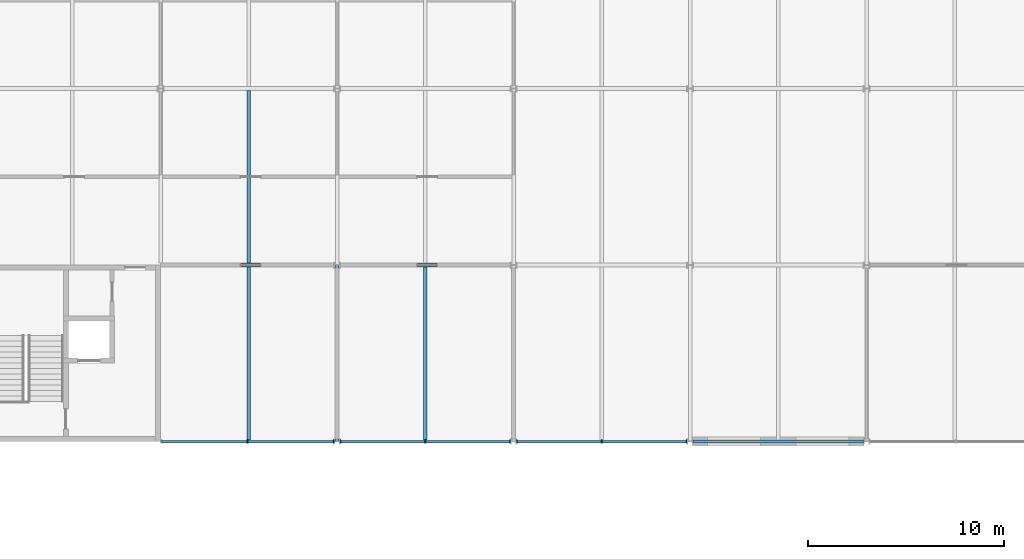
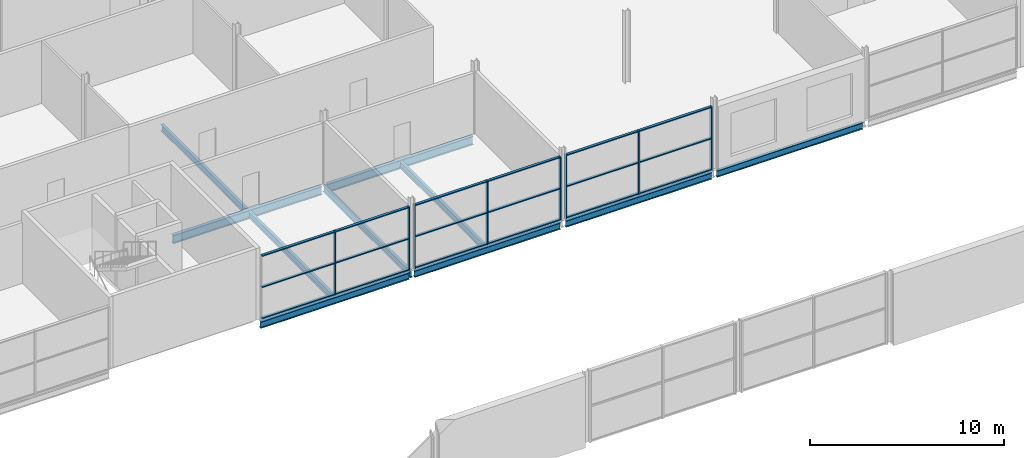
# One storey, part 35 of 97: 26 members, 10 beams, 3 elements without a shape of their own.
"""IFC4 building model written with IfcOpenShell, lengths in metres."""

import ifcopenshell
import ifcopenshell.guid

model = None  # the IFC model being written
_history = None  # IfcOwnerHistory: only IFC2X3 demands one
_inside = {}  # id of a spatial element -> (the spatial element, [elements in it])
_under = {}  # id of a project, library or spatial element -> (it, [spatial elements below it])
_declared = {}  # id of a project -> (the project, [libraries it declares])
_typed = {}  # id of a type object -> (the type object, [elements of that type])
_made_of = {}  # id of a material, layer set ... -> (it, [elements and type objects made of it])


def new_model(schema):
    """Start an empty IFC model of exactly this schema.

    Asked for "IFC4X3", IfcOpenShell would pick the latest addendum, in which some entities
    have other attributes; the version numbers below select the first issue.
    IFC2X3 requires an IfcOwnerHistory on every rooted entity: one is made here for all.
    """
    global model, _history
    if schema == "IFC4X3":
        model = ifcopenshell.file(schema_version=(4, 3, 0, 0))
    else:
        model = ifcopenshell.file(schema=schema)
    _inside.clear()
    _under.clear()
    _declared.clear()
    _typed.clear()
    _made_of.clear()
    _history = None
    if model.schema == "IFC2X3":
        org = make("IfcOrganization", Name="unknown")
        user = make(
            "IfcPersonAndOrganization",
            ThePerson=make("IfcPerson", FamilyName="unknown"),
            TheOrganization=org,
        )
        app = make(
            "IfcApplication",
            ApplicationDeveloper=org,
            Version="unknown",
            ApplicationFullName="unknown",
            ApplicationIdentifier="unknown",
        )
        _history = make(
            "IfcOwnerHistory",
            OwningUser=user,
            OwningApplication=app,
            ChangeAction="ADDED",
            CreationDate=0,
        )
    return model


def make(cls, **values):
    """One entity of the class cls with the attributes given. An attribute that is None is left unset."""
    return model.create_entity(
        cls, **{name: value for name, value in values.items() if value is not None}
    )


def rooted(cls, **values):
    """An entity with a GlobalId (a new one), such as an element, a storey or a relation."""
    return make(cls, GlobalId=ifcopenshell.guid.new(), OwnerHistory=_history, **values)


def si_unit(unit_type, name, prefix=None):
    """IfcSIUnit, for example si_unit("LENGTHUNIT", "METRE", prefix="MILLI")."""
    return make("IfcSIUnit", UnitType=unit_type, Prefix=prefix, Name=name)


def assignment(units):
    """IfcUnitAssignment: the units of a project."""
    return None if units is None else make("IfcUnitAssignment", Units=units)


def point(xyz):
    """IfcCartesianPoint."""
    return None if xyz is None else make("IfcCartesianPoint", Coordinates=xyz)


def direction(xyz):
    """IfcDirection."""
    return None if xyz is None else make("IfcDirection", DirectionRatios=xyz)


def frame(location, z_axis=None, x_axis=None):
    """IfcAxis2Placement3D, a coordinate frame: its origin and axes. An axis left out is left unset."""
    return make(
        "IfcAxis2Placement3D",
        Location=point(location),
        Axis=direction(z_axis),
        RefDirection=direction(x_axis),
    )


def frame_2d(location, x_axis=None):
    """IfcAxis2Placement2D, a coordinate frame in the plane: its origin and x axis."""
    return make(
        "IfcAxis2Placement2D", Location=point(location), RefDirection=direction(x_axis)
    )


def origin():
    """The frame at (0, 0, 0) with its axes left unset."""
    return frame((0.0, 0.0, 0.0))


def origin_2d():
    """The frame at (0, 0) in the plane with its x axis left unset."""
    return frame_2d((0.0, 0.0))


def place(relative_to, where):
    """IfcLocalPlacement: puts the frame where relative to a parent placement (None: the world)."""
    return make(
        "IfcLocalPlacement", PlacementRelTo=relative_to, RelativePlacement=where
    )


def context(
    kind, dimensions, precision=None, world=None, true_north=None, identifier=None
):
    """IfcGeometricRepresentationContext, for example the 3D "Model" context."""
    return make(
        "IfcGeometricRepresentationContext",
        ContextIdentifier=identifier,
        ContextType=kind,
        CoordinateSpaceDimension=dimensions,
        Precision=precision,
        WorldCoordinateSystem=world,
        TrueNorth=true_north,
    )


def subcontext(parent, identifier, kind, view, scale=None):
    """IfcGeometricRepresentationSubContext, for example "Body" below "Model"."""
    return make(
        "IfcGeometricRepresentationSubContext",
        ContextIdentifier=identifier,
        ContextType=kind,
        ParentContext=parent,
        TargetScale=scale,
        TargetView=view,
    )


def project(units=None, contexts=None):
    """IfcProject with its units and contexts."""
    return rooted(
        "IfcProject",
        Name="project",
        RepresentationContexts=contexts,
        UnitsInContext=assignment(units),
    )


def spatial(cls, under=None, at=None, **own):
    """A site, building, storey or space (cls), placed at a placement, below another one or the project."""
    s = rooted(cls, ObjectPlacement=at, **own)
    if under is not None:
        _under.setdefault(under.id(), (under, []))[1].append(s)
    return s


def profile(cls, at=None, kind="AREA", **sizes):
    """A parametric profile (cls). Its sizes go by their IFC names, for example OverallWidth=200.0."""
    return make(cls, ProfileType=kind, Position=at, **sizes)


def rectangle(**sizes):
    """IfcRectangleProfileDef."""
    return profile("IfcRectangleProfileDef", **sizes)


def i_section(**sizes):
    """IfcIShapeProfileDef."""
    return profile("IfcIShapeProfileDef", **sizes)


def extrude(swept, where, along, depth):
    """IfcExtrudedAreaSolid: the profile swept, set in the frame where, extruded along a direction by depth."""
    return make(
        "IfcExtrudedAreaSolid",
        SweptArea=swept,
        Position=where,
        ExtrudedDirection=direction(along),
        Depth=depth,
    )


def shape(context_of_items, identifier, shape_type, items):
    """IfcShapeRepresentation: the items that make up one representation, for example the "Body"."""
    return make(
        "IfcShapeRepresentation",
        ContextOfItems=context_of_items,
        RepresentationIdentifier=identifier,
        RepresentationType=shape_type,
        Items=items,
    )


def material(Name=None, Category=None):
    """IfcMaterial."""
    return make("IfcMaterial", Name=Name, Category=Category)


def layer(
    of_material, thickness, ventilated=None, Name=None, Category=None, Priority=None
):
    """IfcMaterialLayer: one layer of a wall or slab, of a material (None: an air gap)."""
    return make(
        "IfcMaterialLayer",
        Material=of_material,
        LayerThickness=thickness,
        IsVentilated=ventilated,
        Name=Name,
        Category=Category,
        Priority=Priority,
    )


def layer_set(layers, Name=None):
    """IfcMaterialLayerSet."""
    return make("IfcMaterialLayerSet", MaterialLayers=layers, LayerSetName=Name)


def material_profile(
    of_material, cross_section, Name=None, Category=None, Priority=None
):
    """IfcMaterialProfile: a cross section and its material."""
    return make(
        "IfcMaterialProfile",
        Name=Name,
        Material=of_material,
        Profile=cross_section,
        Priority=Priority,
        Category=Category,
    )


def profile_set(profiles, Name=None, composite=None):
    """IfcMaterialProfileSet."""
    return make(
        "IfcMaterialProfileSet",
        Name=Name,
        MaterialProfiles=profiles,
        CompositeProfile=composite,
    )


def made_of(thing, what):
    """Note that an element or type object is made of a material, layer set ...; save() writes the relation."""
    if what is not None:
        _made_of.setdefault(what.id(), (what, []))[1].append(thing)
    return thing


def type_object(cls, material=None, **own):
    """A type object (cls), such as IfcWallType, which elements share."""
    return made_of(rooted(cls, **own), material)


def element(
    cls,
    number,
    at=None,
    inside=None,
    cuts=None,
    type_object=None,
    material=None,
    context=None,
    identifier="Body",
    shape_type=None,
    held_by="IfcProductDefinitionShape",
    body=None,
    shapes=None,
    **own,
):
    """One element of the class cls, such as IfcWall. Its Tag is "e" and its number.

    at: its placement. inside: the storey or other place that contains it. cuts: it is an
    opening in that element (IfcRelVoidsElement). A single representation is given by context,
    identifier, shape_type and body (its items); several are given by shapes. held_by: the class
    of the entity that holds the representations. save() writes the other relations.
    """
    e = rooted(cls, Tag="e%d" % number, ObjectPlacement=at, **own)
    if body is not None:
        shapes = [shape(context, identifier, shape_type, body)]
    if shapes is not None:
        e.Representation = make(held_by, Representations=shapes)
    if inside is not None:
        _inside.setdefault(inside.id(), (inside, []))[1].append(e)
    if cuts is not None:
        rooted(
            "IfcRelVoidsElement", RelatingBuildingElement=cuts, RelatedOpeningElement=e
        )
    if type_object is not None:
        _typed.setdefault(type_object.id(), (type_object, []))[1].append(e)
    return made_of(e, material)


def aggregate(whole, parts):
    """IfcRelAggregates: a whole, such as a stair, and the parts it consists of."""
    return rooted("IfcRelAggregates", RelatingObject=whole, RelatedObjects=parts)


def save(model, path):
    """Write the relations noted so far, then the file.

    IfcRelAggregates (storeys below a building ...), IfcRelContainedInSpatialStructure (elements
    in a storey), IfcRelDefinesByType, IfcRelAssociatesMaterial and IfcRelDeclares: one each for
    every whole, place, type object, material and project.
    """
    for whole, parts in _under.values():
        aggregate(whole, parts)
    for where, things in _inside.values():
        rooted(
            "IfcRelContainedInSpatialStructure",
            RelatedElements=things,
            RelatingStructure=where,
        )
    for kind, things in _typed.values():
        rooted("IfcRelDefinesByType", RelatedObjects=things, RelatingType=kind)
    for what, things in _made_of.values():
        rooted("IfcRelAssociatesMaterial", RelatedObjects=things, RelatingMaterial=what)
    for by, libraries in _declared.values():
        rooted("IfcRelDeclares", RelatingContext=by, RelatedDefinitions=libraries)
    model.write(path)


model = new_model("IFC4")

# Units and contexts
model_context = context("Model", 3, precision=1e-05, world=origin(), true_north=direction((0.0, 1.0)))
body_context = subcontext(model_context, "Body", "Model", "MODEL_VIEW")
ifc_project = project(units=[si_unit("LENGTHUNIT", "METRE"), si_unit("AREAUNIT", "SQUARE_METRE"), si_unit("VOLUMEUNIT", "CUBIC_METRE"), si_unit("PLANEANGLEUNIT", "RADIAN"), si_unit("MASSUNIT", "GRAM", prefix="KILO")], contexts=[model_context])

# Site, building, storey
site_placement = place(None, origin())
site = spatial("IfcSite", under=ifc_project, at=site_placement, CompositionType="ELEMENT")
building_placement = place(site_placement, origin())
building = spatial("IfcBuilding", under=site, at=building_placement, Name="Corbel Yard City Hall", CompositionType="ELEMENT")
storey_placement = place(building_placement, frame((0.0, 0.0, 6.0)))
storey = spatial("IfcBuildingStorey", under=building, at=storey_placement, Name="L01", CompositionType="ELEMENT", Elevation=6.0)

# Beams
ifc_material_1 = material(Name="Steel Grade 300 (300 MPa yield)", Category="steel")
ifc_material_profile_1 = material_profile(ifc_material_1, i_section(OverallWidth=0.177978515625, OverallDepth=0.403076171875, WebThickness=0.007568359375, FlangeThickness=0.010986328125, at=origin_2d()), Name="410UB53.7")
ifc_profile_set_1 = profile_set([ifc_material_profile_1], Name="Steel Grade 300 (300 MPa yield)")
beam_type_1 = type_object("IfcBeamType", Name="Beam 410UB53.7", PredefinedType="BEAM", material=ifc_profile_set_1)
beam_1_placement = place(storey_placement, frame((72.0, 45.005859375, -0.3515625), z_axis=(0.0, 1.0, 0.0), x_axis=(-1.0, 0.0, 0.0)))
element("IfcBeam", 1, at=beam_1_placement, inside=storey, type_object=beam_type_1, Name="Beam 410UB53.7 SB6 L01floor", PredefinedType="BEAM", context=body_context, shape_type="SweptSolid", body=[
    extrude(i_section(OverallWidth=0.177978515625, OverallDepth=0.403076171875, WebThickness=0.007568359375, FlangeThickness=0.010986328125, at=origin_2d()), origin(), (0.0, 0.0, 1.0), 8.986328125),
])
ifc_material_profile_2 = material_profile(ifc_material_1, i_section(OverallWidth=0.177978515625, OverallDepth=0.406005859375, WebThickness=0.0078125, FlangeThickness=0.0126953125, at=origin_2d()), Name="410UB59.7")
ifc_profile_set_2 = profile_set([ifc_material_profile_2], Name="Steel Grade 300 (300 MPa yield)")
beam_type_2 = type_object("IfcBeamType", Name="Edge beam 410UB59.7", PredefinedType="BEAM", material=ifc_profile_set_2)
beam_2_placement = place(storey_placement, frame((63.0, 45.0, -0.35302734375), z_axis=(1.0, 0.0, 0.0), x_axis=(0.0, 1.0, 0.0)))
element("IfcBeam", 2, at=beam_2_placement, inside=storey, type_object=beam_type_2, Name="Edge beam 410UB59.7 EB2 L01floor", PredefinedType="BEAM", context=body_context, shape_type="SweptSolid", body=[
    extrude(i_section(OverallWidth=0.177978515625, OverallDepth=0.406005859375, WebThickness=0.0078125, FlangeThickness=0.0126953125, at=origin_2d()), origin(), (0.0, 0.0, 1.0), 8.842529296875),
])
for number, where, z_axis, x_axis, name in (
    (3, (72.157470703125, 45.0, -0.35302734375), (1.0, 0.0, 0.0), (0.0, 1.0, 0.0), "Edge beam 410UB59.7 EB2 L01floor"),
    (4, (81.157470703125, 45.0, -0.35302734375), (1.0, 0.0, 0.0), (0.0, 1.0, 0.0), "Edge beam 410UB59.7 EB2 L01floor"),
    (5, (90.157470703125, 45.0, -0.35302734375), (1.0, 0.0, 0.0), (0.0, 1.0, 0.0), "Edge beam 410UB59.7 EB2 L01floor"),
):
    element("IfcBeam", number, at=place(storey_placement, frame(where, z_axis=z_axis, x_axis=x_axis)), inside=storey, type_object=beam_type_2, Name=name, PredefinedType="BEAM", context=body_context, shape_type="SweptSolid", body=[
        extrude(i_section(OverallWidth=0.177978515625, OverallDepth=0.406005859375, WebThickness=0.0078125, FlangeThickness=0.0126953125, at=origin_2d()), origin(), (0.0, 0.0, 1.0), 8.68505859375),
    ])
ifc_material_profile_3 = material_profile(ifc_material_1, i_section(OverallWidth=0.208984375, OverallDepth=0.528076171875, WebThickness=0.009521484375, FlangeThickness=0.01318359375, at=origin_2d()), Name="530UB82.0")
ifc_profile_set_3 = profile_set([ifc_material_profile_3], Name="Steel Grade 300 (300 MPa yield)")
beam_type_3 = type_object("IfcBeamType", Name="Girder 530UB82.0", PredefinedType="BEAM", material=ifc_profile_set_3)
beam_3_placement = place(storey_placement, frame((63.0, 54.0, -0.4140625), z_axis=(1.0, 0.0, 0.0), x_axis=(0.0, 1.0, 0.0)))
element("IfcBeam", 6, at=beam_3_placement, inside=storey, type_object=beam_type_3, Name="Girder 530UB82.0 GB3 L01floor", PredefinedType="BEAM", context=body_context, shape_type="SweptSolid", body=[
    extrude(i_section(OverallWidth=0.208984375, OverallDepth=0.528076171875, WebThickness=0.009521484375, FlangeThickness=0.01318359375, at=origin_2d()), origin(), (0.0, 0.0, 1.0), 8.83642578125),
])
beam_4_placement = place(storey_placement, frame((72.16357421875, 54.0, -0.4140625), z_axis=(1.0, 0.0, 0.0), x_axis=(0.0, 1.0, 0.0)))
element("IfcBeam", 7, at=beam_4_placement, inside=storey, type_object=beam_type_3, Name="Girder 530UB82.0 GB3 L01floor", PredefinedType="BEAM", context=body_context, shape_type="SweptSolid", body=[
    extrude(i_section(OverallWidth=0.208984375, OverallDepth=0.528076171875, WebThickness=0.009521484375, FlangeThickness=0.01318359375, at=origin_2d()), origin(), (0.0, 0.0, 1.0), 8.6728515625),
])

# Curtain wall, members
ifc_material_2 = material(Name="Aluminium extrusion", Category="aluminium")
ifc_layer = layer(ifc_material_2, 0.199951171875)
ifc_layer_set = layer_set([ifc_layer], Name="Aluminium extrusion")
curtain_wall_type = type_object("IfcCurtainWallType", Name="CW1", PredefinedType="USERDEFINED", material=ifc_layer_set)
curtain_wall_1_placement = place(storey_placement, origin())
curtain_wall_1 = element("IfcCurtainWall", 8, at=curtain_wall_1_placement, inside=storey, type_object=curtain_wall_type, Name="Curtain wall CW1 L01", ObjectType="CURTAIN WALL", PredefinedType="USERDEFINED")
ifc_material_profile_4 = material_profile(ifc_material_2, rectangle(XDim=0.199951171875, YDim=0.06494140625, at=origin_2d()), Name="200x65")
ifc_profile_set_4 = profile_set([ifc_material_profile_4], Name="Aluminium extrusion")
member_type_1 = type_object("IfcMemberType", Name="ML1", PredefinedType="MULLION", material=ifc_profile_set_4)
member_1_placement = place(storey_placement, frame((67.43505859375, 45.0, 0.0), z_axis=(0.0, 0.0, 1.0), x_axis=(0.0, 1.0, 0.0)))
member_1 = element("IfcMember", 9, at=member_1_placement, type_object=member_type_1, Name="CW1 mullion 2", PredefinedType="MULLION", context=body_context, shape_type="SweptSolid", body=[
    extrude(rectangle(XDim=0.199951171875, YDim=0.06494140625, at=origin_2d()), origin(), (0.0, 0.0, 1.0), 3.990966796875),
])
member_2_placement = place(storey_placement, frame((71.83740234375, 45.0, 0.0), z_axis=(0.0, 0.0, 1.0), x_axis=(0.0, 1.0, 0.0)))
member_2 = element("IfcMember", 10, at=member_2_placement, type_object=member_type_1, Name="CW1 mullion 3", PredefinedType="MULLION", context=body_context, shape_type="SweptSolid", body=[
    extrude(rectangle(XDim=0.199951171875, YDim=0.06494140625, at=origin_2d()), origin(), (0.0, 0.0, 1.0), 3.990966796875),
])

curtain_wall_2_placement = place(storey_placement, origin())
curtain_wall_2 = element("IfcCurtainWall", 11, at=curtain_wall_2_placement, inside=storey, type_object=curtain_wall_type, Name="Curtain wall CW1 L01", ObjectType="CURTAIN WALL", PredefinedType="USERDEFINED")
member_3_placement = place(storey_placement, frame((72.16259765625, 45.0, 0.0), z_axis=(0.0, 0.0, 1.0), x_axis=(0.0, 1.0, 0.0)))
member_3 = element("IfcMember", 12, at=member_3_placement, type_object=member_type_1, Name="CW1 mullion 1", PredefinedType="MULLION", context=body_context, shape_type="SweptSolid", body=[
    extrude(rectangle(XDim=0.199951171875, YDim=0.06494140625, at=origin_2d()), origin(), (0.0, 0.0, 1.0), 3.990966796875),
])
member_4_placement = place(storey_placement, frame((76.5, 45.0, 0.0), z_axis=(0.0, 0.0, 1.0), x_axis=(0.0, 1.0, 0.0)))
member_4 = element("IfcMember", 13, at=member_4_placement, type_object=member_type_1, Name="CW1 mullion 2", PredefinedType="MULLION", context=body_context, shape_type="SweptSolid", body=[
    extrude(rectangle(XDim=0.199951171875, YDim=0.06494140625, at=origin_2d()), origin(), (0.0, 0.0, 1.0), 3.990966796875),
])
member_5_placement = place(storey_placement, frame((80.83740234375, 45.0, 0.0), z_axis=(0.0, 0.0, 1.0), x_axis=(0.0, 1.0, 0.0)))
member_5 = element("IfcMember", 14, at=member_5_placement, type_object=member_type_1, Name="CW1 mullion 3", PredefinedType="MULLION", context=body_context, shape_type="SweptSolid", body=[
    extrude(rectangle(XDim=0.199951171875, YDim=0.06494140625, at=origin_2d()), origin(), (0.0, 0.0, 1.0), 3.990966796875),
])

curtain_wall_3_placement = place(storey_placement, origin())
curtain_wall_3 = element("IfcCurtainWall", 15, at=curtain_wall_3_placement, inside=storey, type_object=curtain_wall_type, Name="Curtain wall CW1 L01", ObjectType="CURTAIN WALL", PredefinedType="USERDEFINED")
member_6_placement = place(storey_placement, frame((81.16259765625, 45.0, 0.0), z_axis=(0.0, 0.0, 1.0), x_axis=(0.0, 1.0, 0.0)))
member_6 = element("IfcMember", 16, at=member_6_placement, type_object=member_type_1, Name="CW1 mullion 1", PredefinedType="MULLION", context=body_context, shape_type="SweptSolid", body=[
    extrude(rectangle(XDim=0.199951171875, YDim=0.06494140625, at=origin_2d()), origin(), (0.0, 0.0, 1.0), 3.990966796875),
])
member_7_placement = place(storey_placement, frame((85.5, 45.0, 0.0), z_axis=(0.0, 0.0, 1.0), x_axis=(0.0, 1.0, 0.0)))
member_7 = element("IfcMember", 17, at=member_7_placement, type_object=member_type_1, Name="CW1 mullion 2", PredefinedType="MULLION", context=body_context, shape_type="SweptSolid", body=[
    extrude(rectangle(XDim=0.199951171875, YDim=0.06494140625, at=origin_2d()), origin(), (0.0, 0.0, 1.0), 3.990966796875),
])
member_8_placement = place(storey_placement, frame((89.83740234375, 45.0, 0.0), z_axis=(0.0, 0.0, 1.0), x_axis=(0.0, 1.0, 0.0)))
member_8 = element("IfcMember", 18, at=member_8_placement, type_object=member_type_1, Name="CW1 mullion 3", PredefinedType="MULLION", context=body_context, shape_type="SweptSolid", body=[
    extrude(rectangle(XDim=0.199951171875, YDim=0.06494140625, at=origin_2d()), origin(), (0.0, 0.0, 1.0), 3.990966796875),
])

# Beams
ifc_material_profile_5 = material_profile(ifc_material_1, i_section(OverallWidth=0.177978515625, OverallDepth=0.403076171875, WebThickness=0.007568359375, FlangeThickness=0.010986328125, at=origin_2d()), Name="410UB53.7")
ifc_profile_set_5 = profile_set([ifc_material_profile_5], Name="Steel Grade 300 (300 MPa yield)")
beam_type_4 = type_object("IfcBeamType", Name="Secondary beam 410UB53.7", PredefinedType="JOIST", material=ifc_profile_set_5)
beam_5_placement = place(storey_placement, frame((67.5, 45.089111328125, -0.3515625), z_axis=(0.0, 1.0, 0.0), x_axis=(-1.0, 0.0, 0.0)))
element("IfcBeam", 19, at=beam_5_placement, inside=storey, type_object=beam_type_4, Name="Secondary beam 410UB53.7 SB5 L01floor", PredefinedType="JOIST", context=body_context, shape_type="SweptSolid", body=[
    extrude(i_section(OverallWidth=0.177978515625, OverallDepth=0.403076171875, WebThickness=0.007568359375, FlangeThickness=0.010986328125, at=origin_2d()), origin(), (0.0, 0.0, 1.0), 8.806396484375),
])
beam_6_placement = place(storey_placement, frame((67.5, 54.1044921875, -0.3515625), z_axis=(0.0, 1.0, 0.0), x_axis=(-1.0, 0.0, 0.0)))
element("IfcBeam", 20, at=beam_6_placement, inside=storey, type_object=beam_type_4, Name="Secondary beam 410UB53.7 SB5 L01floor", PredefinedType="JOIST", context=body_context, shape_type="SweptSolid", body=[
    extrude(i_section(OverallWidth=0.177978515625, OverallDepth=0.403076171875, WebThickness=0.007568359375, FlangeThickness=0.010986328125, at=origin_2d()), origin(), (0.0, 0.0, 1.0), 8.791015625),
])
beam_7_placement = place(storey_placement, frame((76.5, 45.089111328125, -0.3515625), z_axis=(0.0, 1.0, 0.0), x_axis=(-1.0, 0.0, 0.0)))
element("IfcBeam", 21, at=beam_7_placement, inside=storey, type_object=beam_type_4, Name="Secondary beam 410UB53.7 SB5 L01floor", PredefinedType="JOIST", context=body_context, shape_type="SweptSolid", body=[
    extrude(i_section(OverallWidth=0.177978515625, OverallDepth=0.403076171875, WebThickness=0.007568359375, FlangeThickness=0.010986328125, at=origin_2d()), origin(), (0.0, 0.0, 1.0), 8.806396484375),
])

# Member
ifc_material_profile_6 = material_profile(ifc_material_2, rectangle(XDim=0.14990234375, YDim=0.06494140625, at=origin_2d()), Name="150x65")
ifc_profile_set_6 = profile_set([ifc_material_profile_6], Name="Aluminium extrusion")
member_type_2 = type_object("IfcMemberType", Name="TR1", PredefinedType="USERDEFINED", material=ifc_profile_set_6)
member_9_placement = place(storey_placement, frame((63.06494140625, 45.0, 0.032470703125), z_axis=(1.0, 0.0, 0.0), x_axis=(0.0, 1.0, 0.0)))
member_9 = element("IfcMember", 22, at=member_9_placement, type_object=member_type_2, Name="CW1 transom 1.1", ObjectType="TRANSOM", PredefinedType="USERDEFINED", context=body_context, shape_type="SweptSolid", body=[
    extrude(rectangle(XDim=0.14990234375, YDim=0.06494140625, at=origin_2d()), origin(), (0.0, 0.0, 1.0), 4.337646484375),
])

member_10_placement = place(storey_placement, frame((63.06494140625, 45.0, 1.99560546875), z_axis=(1.0, 0.0, 0.0), x_axis=(0.0, 1.0, 0.0)))
member_10 = element("IfcMember", 23, at=member_10_placement, type_object=member_type_2, Name="CW1 transom 1.2", ObjectType="TRANSOM", PredefinedType="USERDEFINED", context=body_context, shape_type="SweptSolid", body=[
    extrude(rectangle(XDim=0.14990234375, YDim=0.06494140625, at=origin_2d()), origin(), (0.0, 0.0, 1.0), 4.337646484375),
])

member_11_placement = place(storey_placement, frame((63.06494140625, 45.0, 3.95849609375), z_axis=(1.0, 0.0, 0.0), x_axis=(0.0, 1.0, 0.0)))
member_11 = element("IfcMember", 24, at=member_11_placement, type_object=member_type_2, Name="CW1 transom 1.3", ObjectType="TRANSOM", PredefinedType="USERDEFINED", context=body_context, shape_type="SweptSolid", body=[
    extrude(rectangle(XDim=0.14990234375, YDim=0.06494140625, at=origin_2d()), origin(), (0.0, 0.0, 1.0), 4.337646484375),
])

member_12_placement = place(storey_placement, frame((67.467529296875, 45.0, 0.032470703125), z_axis=(1.0, 0.0, 0.0), x_axis=(0.0, 1.0, 0.0)))
member_12 = element("IfcMember", 25, at=member_12_placement, type_object=member_type_2, Name="CW1 transom 2.1", ObjectType="TRANSOM", PredefinedType="USERDEFINED", context=body_context, shape_type="SweptSolid", body=[
    extrude(rectangle(XDim=0.14990234375, YDim=0.06494140625, at=origin_2d()), origin(), (0.0, 0.0, 1.0), 4.33740234375),
])

member_13_placement = place(storey_placement, frame((67.467529296875, 45.0, 1.99560546875), z_axis=(1.0, 0.0, 0.0), x_axis=(0.0, 1.0, 0.0)))
member_13 = element("IfcMember", 26, at=member_13_placement, type_object=member_type_2, Name="CW1 transom 2.2", ObjectType="TRANSOM", PredefinedType="USERDEFINED", context=body_context, shape_type="SweptSolid", body=[
    extrude(rectangle(XDim=0.14990234375, YDim=0.06494140625, at=origin_2d()), origin(), (0.0, 0.0, 1.0), 4.33740234375),
])

member_14_placement = place(storey_placement, frame((67.467529296875, 45.0, 3.95849609375), z_axis=(1.0, 0.0, 0.0), x_axis=(0.0, 1.0, 0.0)))
member_14 = element("IfcMember", 27, at=member_14_placement, type_object=member_type_2, Name="CW1 transom 2.3", ObjectType="TRANSOM", PredefinedType="USERDEFINED", context=body_context, shape_type="SweptSolid", body=[
    extrude(rectangle(XDim=0.14990234375, YDim=0.06494140625, at=origin_2d()), origin(), (0.0, 0.0, 1.0), 4.33740234375),
])

aggregate(curtain_wall_1, [member_1, member_2, member_9, member_10, member_11, member_12, member_13, member_14])

member_15_placement = place(storey_placement, frame((72.195068359375, 45.0, 0.032470703125), z_axis=(1.0, 0.0, 0.0), x_axis=(0.0, 1.0, 0.0)))
member_15 = element("IfcMember", 28, at=member_15_placement, type_object=member_type_2, Name="CW1 transom 1.1", ObjectType="TRANSOM", PredefinedType="USERDEFINED", context=body_context, shape_type="SweptSolid", body=[
    extrude(rectangle(XDim=0.14990234375, YDim=0.06494140625, at=origin_2d()), origin(), (0.0, 0.0, 1.0), 4.2724609375),
])

member_16_placement = place(storey_placement, frame((72.195068359375, 45.0, 1.99560546875), z_axis=(1.0, 0.0, 0.0), x_axis=(0.0, 1.0, 0.0)))
member_16 = element("IfcMember", 29, at=member_16_placement, type_object=member_type_2, Name="CW1 transom 1.2", ObjectType="TRANSOM", PredefinedType="USERDEFINED", context=body_context, shape_type="SweptSolid", body=[
    extrude(rectangle(XDim=0.14990234375, YDim=0.06494140625, at=origin_2d()), origin(), (0.0, 0.0, 1.0), 4.2724609375),
])

member_17_placement = place(storey_placement, frame((72.195068359375, 45.0, 3.95849609375), z_axis=(1.0, 0.0, 0.0), x_axis=(0.0, 1.0, 0.0)))
member_17 = element("IfcMember", 30, at=member_17_placement, type_object=member_type_2, Name="CW1 transom 1.3", ObjectType="TRANSOM", PredefinedType="USERDEFINED", context=body_context, shape_type="SweptSolid", body=[
    extrude(rectangle(XDim=0.14990234375, YDim=0.06494140625, at=origin_2d()), origin(), (0.0, 0.0, 1.0), 4.2724609375),
])

member_18_placement = place(storey_placement, frame((76.532470703125, 45.0, 0.032470703125), z_axis=(1.0, 0.0, 0.0), x_axis=(0.0, 1.0, 0.0)))
member_18 = element("IfcMember", 31, at=member_18_placement, type_object=member_type_2, Name="CW1 transom 2.1", ObjectType="TRANSOM", PredefinedType="USERDEFINED", context=body_context, shape_type="SweptSolid", body=[
    extrude(rectangle(XDim=0.14990234375, YDim=0.06494140625, at=origin_2d()), origin(), (0.0, 0.0, 1.0), 4.2724609375),
])

member_19_placement = place(storey_placement, frame((76.532470703125, 45.0, 1.99560546875), z_axis=(1.0, 0.0, 0.0), x_axis=(0.0, 1.0, 0.0)))
member_19 = element("IfcMember", 32, at=member_19_placement, type_object=member_type_2, Name="CW1 transom 2.2", ObjectType="TRANSOM", PredefinedType="USERDEFINED", context=body_context, shape_type="SweptSolid", body=[
    extrude(rectangle(XDim=0.14990234375, YDim=0.06494140625, at=origin_2d()), origin(), (0.0, 0.0, 1.0), 4.2724609375),
])

member_20_placement = place(storey_placement, frame((76.532470703125, 45.0, 3.95849609375), z_axis=(1.0, 0.0, 0.0), x_axis=(0.0, 1.0, 0.0)))
member_20 = element("IfcMember", 33, at=member_20_placement, type_object=member_type_2, Name="CW1 transom 2.3", ObjectType="TRANSOM", PredefinedType="USERDEFINED", context=body_context, shape_type="SweptSolid", body=[
    extrude(rectangle(XDim=0.14990234375, YDim=0.06494140625, at=origin_2d()), origin(), (0.0, 0.0, 1.0), 4.2724609375),
])

aggregate(curtain_wall_2, [member_3, member_4, member_5, member_15, member_16, member_17, member_18, member_19, member_20])

member_21_placement = place(storey_placement, frame((81.195068359375, 45.0, 0.032470703125), z_axis=(1.0, 0.0, 0.0), x_axis=(0.0, 1.0, 0.0)))
member_21 = element("IfcMember", 34, at=member_21_placement, type_object=member_type_2, Name="CW1 transom 1.1", ObjectType="TRANSOM", PredefinedType="USERDEFINED", context=body_context, shape_type="SweptSolid", body=[
    extrude(rectangle(XDim=0.14990234375, YDim=0.06494140625, at=origin_2d()), origin(), (0.0, 0.0, 1.0), 4.2724609375),
])

member_22_placement = place(storey_placement, frame((81.195068359375, 45.0, 1.99560546875), z_axis=(1.0, 0.0, 0.0), x_axis=(0.0, 1.0, 0.0)))
member_22 = element("IfcMember", 35, at=member_22_placement, type_object=member_type_2, Name="CW1 transom 1.2", ObjectType="TRANSOM", PredefinedType="USERDEFINED", context=body_context, shape_type="SweptSolid", body=[
    extrude(rectangle(XDim=0.14990234375, YDim=0.06494140625, at=origin_2d()), origin(), (0.0, 0.0, 1.0), 4.2724609375),
])

member_23_placement = place(storey_placement, frame((81.195068359375, 45.0, 3.95849609375), z_axis=(1.0, 0.0, 0.0), x_axis=(0.0, 1.0, 0.0)))
member_23 = element("IfcMember", 36, at=member_23_placement, type_object=member_type_2, Name="CW1 transom 1.3", ObjectType="TRANSOM", PredefinedType="USERDEFINED", context=body_context, shape_type="SweptSolid", body=[
    extrude(rectangle(XDim=0.14990234375, YDim=0.06494140625, at=origin_2d()), origin(), (0.0, 0.0, 1.0), 4.2724609375),
])

member_24_placement = place(storey_placement, frame((85.532470703125, 45.0, 0.032470703125), z_axis=(1.0, 0.0, 0.0), x_axis=(0.0, 1.0, 0.0)))
member_24 = element("IfcMember", 37, at=member_24_placement, type_object=member_type_2, Name="CW1 transom 2.1", ObjectType="TRANSOM", PredefinedType="USERDEFINED", context=body_context, shape_type="SweptSolid", body=[
    extrude(rectangle(XDim=0.14990234375, YDim=0.06494140625, at=origin_2d()), origin(), (0.0, 0.0, 1.0), 4.2724609375),
])

member_25_placement = place(storey_placement, frame((85.532470703125, 45.0, 1.99560546875), z_axis=(1.0, 0.0, 0.0), x_axis=(0.0, 1.0, 0.0)))
member_25 = element("IfcMember", 38, at=member_25_placement, type_object=member_type_2, Name="CW1 transom 2.2", ObjectType="TRANSOM", PredefinedType="USERDEFINED", context=body_context, shape_type="SweptSolid", body=[
    extrude(rectangle(XDim=0.14990234375, YDim=0.06494140625, at=origin_2d()), origin(), (0.0, 0.0, 1.0), 4.2724609375),
])

member_26_placement = place(storey_placement, frame((85.532470703125, 45.0, 3.95849609375), z_axis=(1.0, 0.0, 0.0), x_axis=(0.0, 1.0, 0.0)))
member_26 = element("IfcMember", 39, at=member_26_placement, type_object=member_type_2, Name="CW1 transom 2.3", ObjectType="TRANSOM", PredefinedType="USERDEFINED", context=body_context, shape_type="SweptSolid", body=[
    extrude(rectangle(XDim=0.14990234375, YDim=0.06494140625, at=origin_2d()), origin(), (0.0, 0.0, 1.0), 4.2724609375),
])

aggregate(curtain_wall_3, [member_6, member_7, member_8, member_21, member_22, member_23, member_24, member_25, member_26])

save(model, "model.ifc")
